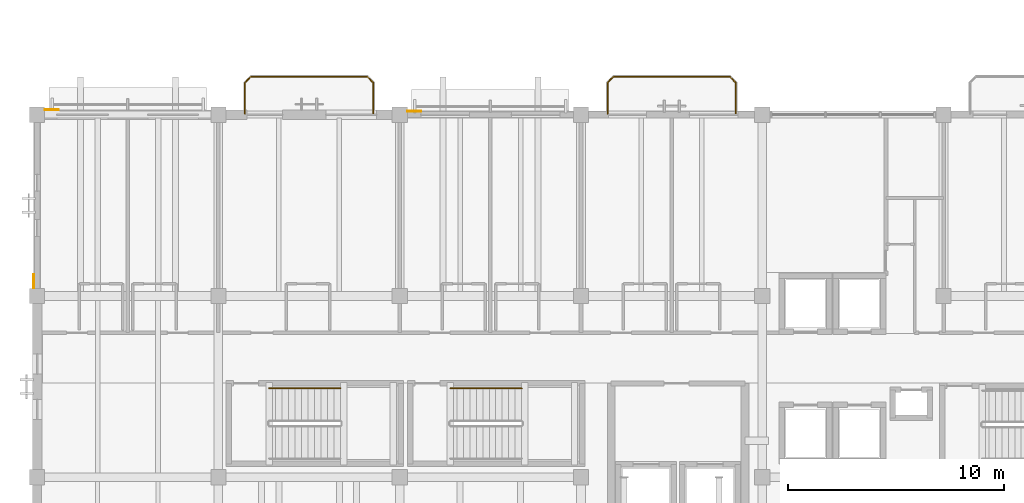
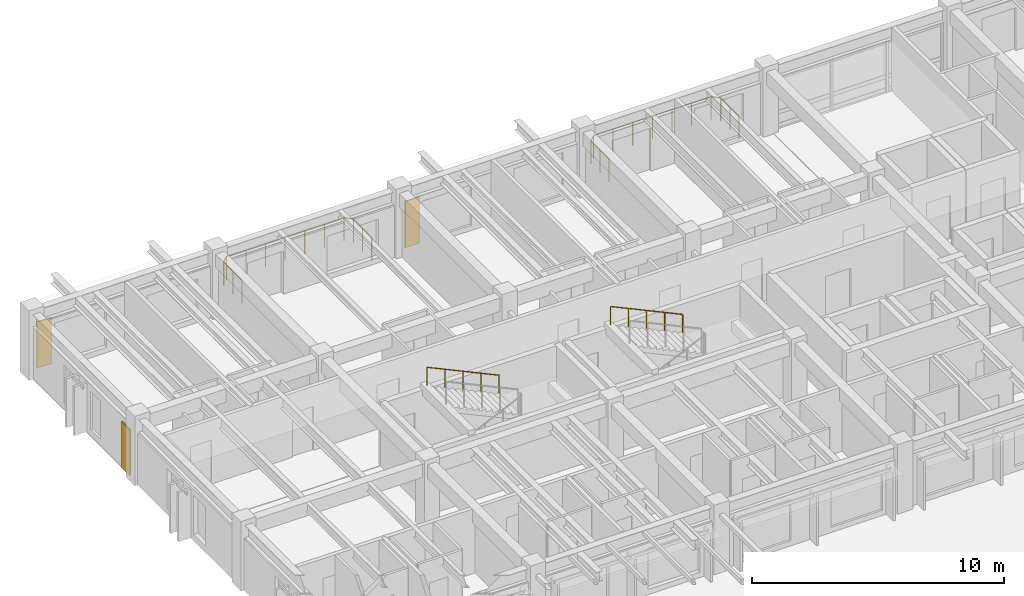
# One storey, part 109 of 111: 4 railings, 3 coverings.
"""IFC4 building model written with IfcOpenShell, lengths in metres."""

from ifc_helpers import new_model, si_unit, direction, frame, origin, origin_2d, place, context, subcontext, project, spatial, polyline, circle, outline, extrude, material, layer, layer_set, type_object, element, save


model = new_model("IFC4")

# Units and contexts
model_context = context("Model", 3, precision=1e-05, world=origin(), true_north=direction((0.0, 1.0)))
body_context = subcontext(model_context, "Body", "Model", "MODEL_VIEW")
ifc_project = project(units=[si_unit("LENGTHUNIT", "METRE"), si_unit("AREAUNIT", "SQUARE_METRE"), si_unit("VOLUMEUNIT", "CUBIC_METRE"), si_unit("PLANEANGLEUNIT", "RADIAN"), si_unit("MASSUNIT", "GRAM", prefix="KILO")], contexts=[model_context])

# Site, building, storey
site_placement = place(None, origin())
site = spatial("IfcSite", under=ifc_project, at=site_placement, CompositionType="ELEMENT")
building_placement = place(site_placement, origin())
building = spatial("IfcBuilding", under=site, at=building_placement, Name="Cumbredor Promenade Congress Hotel", CompositionType="ELEMENT")
storey_placement = place(building_placement, frame((0.0, 0.0, 15.1201171875)))
storey = spatial("IfcBuildingStorey", under=building, at=storey_placement, Name="L04", CompositionType="ELEMENT", Elevation=15.1201171875)

# Coverings
ifc_material_1 = material(Name="Precast concrete C40/50", Category="concrete")
ifc_layer_1 = layer(ifc_material_1, 0.044921875, Name="Precast concrete C40/50", Category="concrete")
ifc_layer_set_1 = layer_set([ifc_layer_1], Name="Precast concrete C40/50")
covering_type_1 = type_object("IfcCoveringType", Name="Board-Formed Architectural Cladding Panel 45mm", PredefinedType="CLADDING", material=ifc_layer_set_1)
covering_1_placement = place(storey_placement, origin())
element("IfcCovering", 1, at=covering_1_placement, inside=storey, type_object=covering_type_1, Name="L04 Facade Stone Cladding Pier 180", PredefinedType="CLADDING", context=body_context, shape_type="SweptSolid", body=[
    extrude(outline(polyline([(17.15087890625, 117.72998046875), (17.801025390625, 117.72998046875), (17.801025390625, 117.77490234375), (17.15087890625, 117.77490234375), (17.15087890625, 117.72998046875)])), origin(), (0.0, 0.0, 1.0), 2.25),
])
covering_2_placement = place(storey_placement, origin())
element("IfcCovering", 2, at=covering_2_placement, inside=storey, type_object=covering_type_1, Name="L04 Facade Stone Cladding Pier 184", PredefinedType="CLADDING", context=body_context, shape_type="SweptSolid", body=[
    extrude(outline(polyline([(-0.1298828125, 109.551025390625), (-0.1298828125, 110.200927734375), (-0.175048828125, 110.200927734375), (-0.175048828125, 109.551025390625), (-0.1298828125, 109.551025390625)])), origin(), (0.0, 0.0, 1.0), 2.25),
])

# Railings
ifc_material_2 = material(Name="Brushed stainless steel", Category="steel")
railing_type_1 = type_object("IfcRailingType", Name="Sky Garden Glass-and-Steel Balustrade BAL-1150", PredefinedType="BALUSTRADE", material=ifc_material_2)
railing_1_placement = place(storey_placement, frame((9.6298828125, 117.64990234375, 0.0)))
element("IfcRailing", 3, at=railing_1_placement, inside=storey, type_object=railing_type_1, Name="L04 Veranda Balcony Balustrade 020", PredefinedType="BALUSTRADE", context=body_context, shape_type="SweptSolid", body=[
    extrude(circle(Radius=0.02392578125, at=origin_2d()), frame((0.0, 0.0, 1.1259765625), z_axis=(0.0, 1.0, 0.0), x_axis=(-1.0, 0.0, 0.0)), (0.0, 0.0, 1.0), 1.440185546875),
    extrude(circle(Radius=0.02392578125, at=origin_2d()), frame((0.0, 1.440185546875, 1.1259765625), z_axis=(0.707106781187, 0.707106781187, 0.0), x_axis=(-0.707106781187, 0.707106781187, 0.0)), (0.0, 0.0, 1.0), 0.39599609375),
    extrude(circle(Radius=0.02392578125, at=origin_2d()), frame((0.280029296875, 1.72021484375, 1.1259765625), z_axis=(1.0, 0.0, 0.0), x_axis=(0.0, 1.0, 0.0)), (0.0, 0.0, 1.0), 5.380126953125),
    extrude(circle(Radius=0.02392578125, at=origin_2d()), frame((5.66015625, 1.72021484375, 1.1259765625), z_axis=(0.707106781187, -0.707106781187, 0.0), x_axis=(0.707106781187, 0.707106781187, 0.0)), (0.0, 0.0, 1.0), 0.39599609375),
    extrude(circle(Radius=0.02392578125, at=origin_2d()), frame((5.940185546875, 1.440185546875, 1.1259765625), z_axis=(0.0, -1.0, 0.0), x_axis=(1.0, 0.0, 0.0)), (0.0, 0.0, 1.0), 1.440185546875),
    extrude(circle(Radius=0.02099609375, at=origin_2d()), origin(), (0.0, 0.0, 1.0), 1.101806640625),
    extrude(circle(Radius=0.02099609375, at=origin_2d()), frame((0.0, 0.72021484375, 0.0)), (0.0, 0.0, 1.0), 1.101806640625),
    extrude(circle(Radius=0.02099609375, at=origin_2d()), frame((0.0, 1.440185546875, 0.0)), (0.0, 0.0, 1.0), 1.101806640625),
    extrude(circle(Radius=0.02099609375, at=origin_2d()), frame((0.280029296875, 1.72021484375, 0.0)), (0.0, 0.0, 1.0), 1.101806640625),
    extrude(circle(Radius=0.02099609375, at=origin_2d()), frame((1.1767578125, 1.72021484375, 0.0)), (0.0, 0.0, 1.0), 1.101806640625),
    extrude(circle(Radius=0.02099609375, at=origin_2d()), frame((2.073486328125, 1.72021484375, 0.0)), (0.0, 0.0, 1.0), 1.101806640625),
    extrude(circle(Radius=0.02099609375, at=origin_2d()), frame((2.97021484375, 1.72021484375, 0.0)), (0.0, 0.0, 1.0), 1.101806640625),
    extrude(circle(Radius=0.02099609375, at=origin_2d()), frame((3.86669921875, 1.72021484375, 0.0)), (0.0, 0.0, 1.0), 1.101806640625),
    extrude(circle(Radius=0.02099609375, at=origin_2d()), frame((4.763427734375, 1.72021484375, 0.0)), (0.0, 0.0, 1.0), 1.101806640625),
    extrude(circle(Radius=0.02099609375, at=origin_2d()), frame((5.66015625, 1.72021484375, 0.0)), (0.0, 0.0, 1.0), 1.101806640625),
    extrude(circle(Radius=0.02099609375, at=origin_2d()), frame((5.940185546875, 1.440185546875, 0.0)), (0.0, 0.0, 1.0), 1.101806640625),
    extrude(circle(Radius=0.02099609375, at=origin_2d()), frame((5.940185546875, 0.72021484375, 0.0)), (0.0, 0.0, 1.0), 1.101806640625),
    extrude(circle(Radius=0.02099609375, at=origin_2d()), frame((5.940185546875, 0.0, 0.0)), (0.0, 0.0, 1.0), 1.101806640625),
])
railing_type_2 = type_object("IfcRailingType", Name="Stair Pitch Handrail HR-900", PredefinedType="HANDRAIL", material=ifc_material_2)
for number, where, name in (
    (4, (14.050048828125, 104.919921875, 1.81982421875), "L04 ST-01 stair handrail 2"),
    (5, (22.449951171875, 104.919921875, 1.81982421875), "L04 ST-02 stair handrail 2"),
):
    element("IfcRailing", number, at=place(storey_placement, frame(where)), inside=storey, type_object=railing_type_2, Name=name, PredefinedType="HANDRAIL", context=body_context, shape_type="SweptSolid", body=[
        extrude(circle(Radius=0.02392578125, at=origin_2d()), frame((0.0, 0.0, 0.8759765625), z_axis=(-0.906181427284, 0.0, 0.422889135408), x_axis=(0.0, -1.0, 0.0)), (0.0, 0.0, 1.0), 3.6416015625),
        extrude(circle(Radius=0.02099609375, at=origin_2d()), origin(), (0.0, 0.0, 1.0), 0.851806640625),
        extrude(circle(Radius=0.02099609375, at=origin_2d()), frame((-0.824951171875, 0.0, 0.385009765625)), (0.0, 0.0, 1.0), 0.851806640625),
        extrude(circle(Radius=0.02099609375, at=origin_2d()), frame((-1.64990234375, 0.0, 0.77001953125)), (0.0, 0.0, 1.0), 0.851806640625),
        extrude(circle(Radius=0.02099609375, at=origin_2d()), frame((-2.47509765625, 0.0, 1.155029296875)), (0.0, 0.0, 1.0), 0.851806640625),
        extrude(circle(Radius=0.02099609375, at=origin_2d()), frame((-3.300048828125, 0.0, 1.5400390625)), (0.0, 0.0, 1.0), 0.851806640625),
    ])
railing_type_3 = type_object("IfcRailingType", Name="Terrace Perimeter Balustrade BAL-1120", PredefinedType="BALUSTRADE", material=ifc_material_2)
railing_2_placement = place(storey_placement, frame((26.429931640625, 117.64990234375, 0.0)))
element("IfcRailing", 6, at=railing_2_placement, inside=storey, type_object=railing_type_3, Name="L04 Veranda Balcony Balustrade 021", PredefinedType="BALUSTRADE", context=body_context, shape_type="SweptSolid", body=[
    extrude(circle(Radius=0.02392578125, at=origin_2d()), frame((0.0, 0.0, 1.09619140625), z_axis=(0.0, 1.0, 0.0), x_axis=(-1.0, 0.0, 0.0)), (0.0, 0.0, 1.0), 1.440185546875),
    extrude(circle(Radius=0.02392578125, at=origin_2d()), frame((0.0, 1.440185546875, 1.09619140625), z_axis=(0.707106781187, 0.707106781187, 0.0), x_axis=(-0.707106781187, 0.707106781187, 0.0)), (0.0, 0.0, 1.0), 0.39599609375),
    extrude(circle(Radius=0.02392578125, at=origin_2d()), frame((0.280029296875, 1.72021484375, 1.09619140625), z_axis=(1.0, 0.0, 0.0), x_axis=(0.0, 1.0, 0.0)), (0.0, 0.0, 1.0), 5.380126953125),
    extrude(circle(Radius=0.02392578125, at=origin_2d()), frame((5.66015625, 1.72021484375, 1.09619140625), z_axis=(0.707106781187, -0.707106781187, 0.0), x_axis=(0.707106781187, 0.707106781187, 0.0)), (0.0, 0.0, 1.0), 0.39599609375),
    extrude(circle(Radius=0.02392578125, at=origin_2d()), frame((5.940185546875, 1.440185546875, 1.09619140625), z_axis=(0.0, -1.0, 0.0), x_axis=(1.0, 0.0, 0.0)), (0.0, 0.0, 1.0), 1.440185546875),
    extrude(circle(Radius=0.02099609375, at=origin_2d()), origin(), (0.0, 0.0, 1.0), 1.072021484375),
    extrude(circle(Radius=0.02099609375, at=origin_2d()), frame((0.0, 0.72021484375, 0.0)), (0.0, 0.0, 1.0), 1.072021484375),
    extrude(circle(Radius=0.02099609375, at=origin_2d()), frame((0.0, 1.440185546875, 0.0)), (0.0, 0.0, 1.0), 1.072021484375),
    extrude(circle(Radius=0.02099609375, at=origin_2d()), frame((0.280029296875, 1.72021484375, 0.0)), (0.0, 0.0, 1.0), 1.072021484375),
    extrude(circle(Radius=0.02099609375, at=origin_2d()), frame((1.1767578125, 1.72021484375, 0.0)), (0.0, 0.0, 1.0), 1.072021484375),
    extrude(circle(Radius=0.02099609375, at=origin_2d()), frame((2.073486328125, 1.72021484375, 0.0)), (0.0, 0.0, 1.0), 1.072021484375),
    extrude(circle(Radius=0.02099609375, at=origin_2d()), frame((2.97021484375, 1.72021484375, 0.0)), (0.0, 0.0, 1.0), 1.072021484375),
    extrude(circle(Radius=0.02099609375, at=origin_2d()), frame((3.86669921875, 1.72021484375, 0.0)), (0.0, 0.0, 1.0), 1.072021484375),
    extrude(circle(Radius=0.02099609375, at=origin_2d()), frame((4.763427734375, 1.72021484375, 0.0)), (0.0, 0.0, 1.0), 1.072021484375),
    extrude(circle(Radius=0.02099609375, at=origin_2d()), frame((5.66015625, 1.72021484375, 0.0)), (0.0, 0.0, 1.0), 1.072021484375),
    extrude(circle(Radius=0.02099609375, at=origin_2d()), frame((5.940185546875, 1.440185546875, 0.0)), (0.0, 0.0, 1.0), 1.072021484375),
    extrude(circle(Radius=0.02099609375, at=origin_2d()), frame((5.940185546875, 0.72021484375, 0.0)), (0.0, 0.0, 1.0), 1.072021484375),
    extrude(circle(Radius=0.02099609375, at=origin_2d()), frame((5.940185546875, 0.0, 0.0)), (0.0, 0.0, 1.0), 1.072021484375),
])

# Covering
ifc_material_3 = material(Name="Volcanic andesite ashlar cladding", Category="masonry")
ifc_layer_2 = layer(ifc_material_3, 0.034912109375, Name="Volcanic andesite ashlar cladding", Category="masonry")
ifc_layer_set_2 = layer_set([ifc_layer_2], Name="Volcanic andesite ashlar cladding")
covering_type_2 = type_object("IfcCoveringType", Name="Volcanic Andesite Ashlar Rainscreen Cladding 35mm", PredefinedType="CLADDING", material=ifc_layer_set_2)
covering_3_placement = place(storey_placement, origin())
element("IfcCovering", 7, at=covering_3_placement, inside=storey, type_object=covering_type_2, Name="L04 Facade Stone Cladding Pier 179", PredefinedType="CLADDING", context=body_context, shape_type="SweptSolid", body=[
    extrude(outline(polyline([(0.35107421875, 117.8125), (1.0009765625, 117.8125), (1.0009765625, 117.847412109375), (0.35107421875, 117.847412109375), (0.35107421875, 117.8125)])), origin(), (0.0, 0.0, 1.0), 2.25),
])

save(model, "model.ifc")
